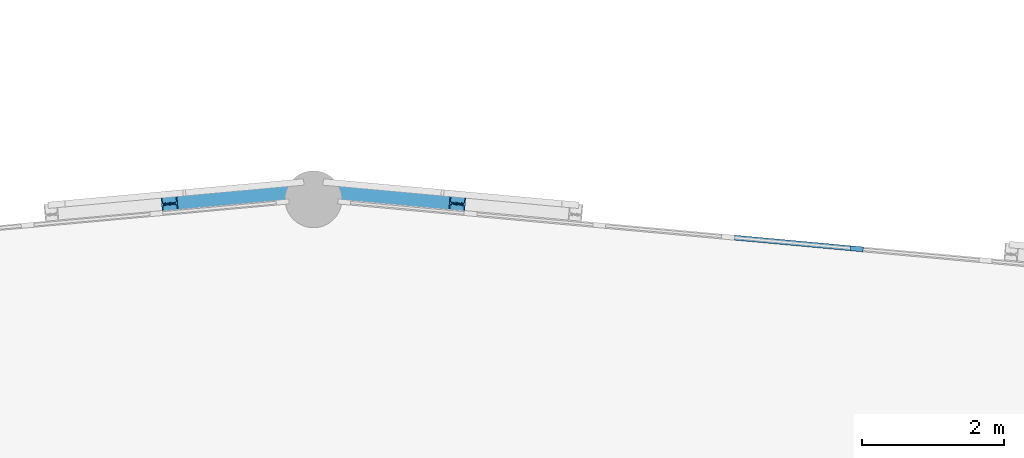
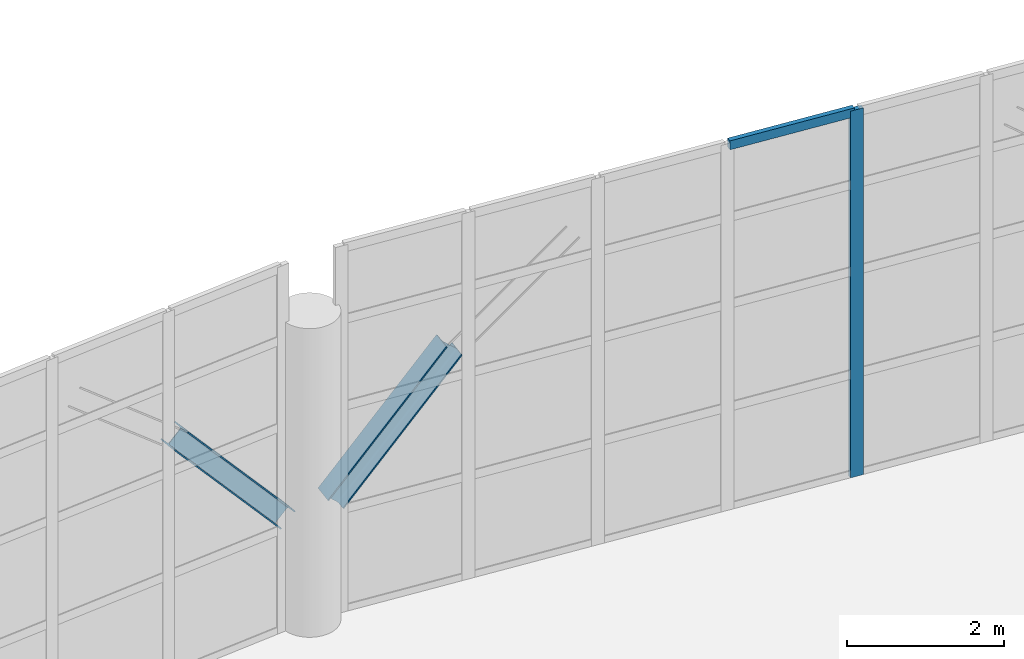
# One storey, part 40 of 109: 2 beams, 2 members, 1 element without a shape of its own.
"""IFC4 building model written with IfcOpenShell, lengths in metres."""

from ifc_helpers import new_model, si_unit, direction, frame, origin, origin_2d, place, context, subcontext, project, spatial, rectangle, i_section, extrude, material, layer, layer_set, material_profile, profile_set, type_object, element, aggregate, save


model = new_model("IFC4")

# Units and contexts
model_context = context("Model", 3, precision=1e-05, world=origin(), true_north=direction((0.0, 1.0)))
body_context = subcontext(model_context, "Body", "Model", "MODEL_VIEW")
ifc_project = project(units=[si_unit("LENGTHUNIT", "METRE"), si_unit("AREAUNIT", "SQUARE_METRE"), si_unit("VOLUMEUNIT", "CUBIC_METRE"), si_unit("PLANEANGLEUNIT", "RADIAN"), si_unit("MASSUNIT", "GRAM", prefix="KILO")], contexts=[model_context])

# Site, building, storey
site_placement = place(None, origin())
site = spatial("IfcSite", under=ifc_project, at=site_placement, CompositionType="ELEMENT")
building_placement = place(site_placement, origin())
building = spatial("IfcBuilding", under=site, at=building_placement, Name="Kivolera Central Railway Station", CompositionType="ELEMENT")
storey_placement = place(building_placement, frame((0.0, 0.0, 9.60009765625)))
storey = spatial("IfcBuildingStorey", under=building, at=storey_placement, Name="L02", CompositionType="ELEMENT", Elevation=9.60009765625)

# Beams
ifc_material_1 = material(Name="Steel S355", Category="steel")
ifc_material_profile_1 = material_profile(ifc_material_1, i_section(OverallWidth=0.300048828125, OverallDepth=0.300048828125, WebThickness=0.010986328125, FlangeThickness=0.01904296875, FilletRadius=0.027099609375, at=origin_2d()), Name="HEB 300")
ifc_profile_set_1 = profile_set([ifc_material_profile_1], Name="Steel S355")
beam_type = type_object("IfcBeamType", Name="BM-LANT-ARCH", PredefinedType="SPANDREL", material=ifc_profile_set_1)
for number, where, z_axis, x_axis, name in (
    (1, (66.02197265625, 125.93603515625, 3.599853515625), (-0.656329428483, 0.059727814284, -0.752106554624), (-0.090628302011, -0.995884787952, 0.0), "Oval Lantern Structural Arch Rib 06.6"),
    (2, (63.635986328125, 126.0869140625, 1.699951171875), (-0.656329428483, -0.059727814284, 0.752106554624), (0.090628302011, -0.995884787952, 0.0), "Oval Lantern Structural Arch Rib 07.1"),
):
    element("IfcBeam", number, at=place(storey_placement, frame(where, z_axis=z_axis, x_axis=x_axis)), inside=storey, type_object=beam_type, Name=name, PredefinedType="SPANDREL", context=body_context, shape_type="SweptSolid", body=[
        extrude(i_section(OverallWidth=0.300048828125, OverallDepth=0.300048828125, WebThickness=0.010986328125, FlangeThickness=0.01904296875, FilletRadius=0.027099609375, at=origin_2d()), origin(), (0.0, 0.0, 1.0), 2.526123046875),
    ])

# Curtain wall, members
ifc_material_2 = material(Name="Anodised aluminium", Category="aluminium")
ifc_layer = layer(ifc_material_2, 0.179931640625, Name="Anodised aluminium")
ifc_layer_set = layer_set([ifc_layer], Name="Anodised aluminium")
curtain_wall_type = type_object("IfcCurtainWallType", Name="CW-SYS-13", PredefinedType="NOTDEFINED", material=ifc_layer_set)
curtain_wall_placement = place(storey_placement, origin())
curtain_wall = element("IfcCurtainWall", 3, at=curtain_wall_placement, inside=storey, type_object=curtain_wall_type, Name="L02 Curtain Wall CW-L02-OVL-05", PredefinedType="NOTDEFINED")
ifc_material_profile_2 = material_profile(ifc_material_2, rectangle(XDim=0.070068359375, YDim=0.179931640625, at=origin_2d()), Name="ALU MULL 70x180")
ifc_profile_set_2 = profile_set([ifc_material_profile_2], Name="Anodised aluminium")
member_type_1 = type_object("IfcMemberType", Name="CWM-MUL-1", PredefinedType="MULLION", material=ifc_profile_set_2)
member_1_placement = place(storey_placement, frame((71.634033203125, 125.303955078125, -0.005126953125), z_axis=(0.0, 0.0, 1.0), x_axis=(0.090833556942, 0.995866087852, 0.0)))
member_1 = element("IfcMember", 4, at=member_1_placement, type_object=member_type_1, Name="CW-13 mullion 5", PredefinedType="MULLION", context=body_context, shape_type="SweptSolid", body=[
    extrude(rectangle(XDim=0.070068359375, YDim=0.179931640625, at=origin_2d()), origin(), (0.0, 0.0, 1.0), 5.705078125),
])
ifc_material_profile_3 = material_profile(ifc_material_2, rectangle(XDim=0.070068359375, YDim=0.139892578125, at=origin_2d()), Name="ALU TRAN 70x140")
ifc_profile_set_3 = profile_set([ifc_material_profile_3], Name="Anodised aluminium")
member_type_2 = type_object("IfcMemberType", Name="CWM-TRN-1", PredefinedType="USERDEFINED", material=ifc_profile_set_3)
member_2_placement = place(storey_placement, frame((69.85986328125, 125.4658203125, 5.664794921875), z_axis=(0.995863361258, -0.09086344537, 0.0), x_axis=(0.09086344537, 0.995863361258, 0.0)))
member_2 = element("IfcMember", 5, at=member_2_placement, type_object=member_type_2, Name="CW-13 transom 4.5", ObjectType="TRANSOM", PredefinedType="USERDEFINED", context=body_context, shape_type="SweptSolid", body=[
    extrude(rectangle(XDim=0.070068359375, YDim=0.139892578125, at=origin_2d()), origin(), (0.0, 0.0, 1.0), 1.74658203125),
])
aggregate(curtain_wall, [member_1, member_2])

save(model, "model.ifc")
